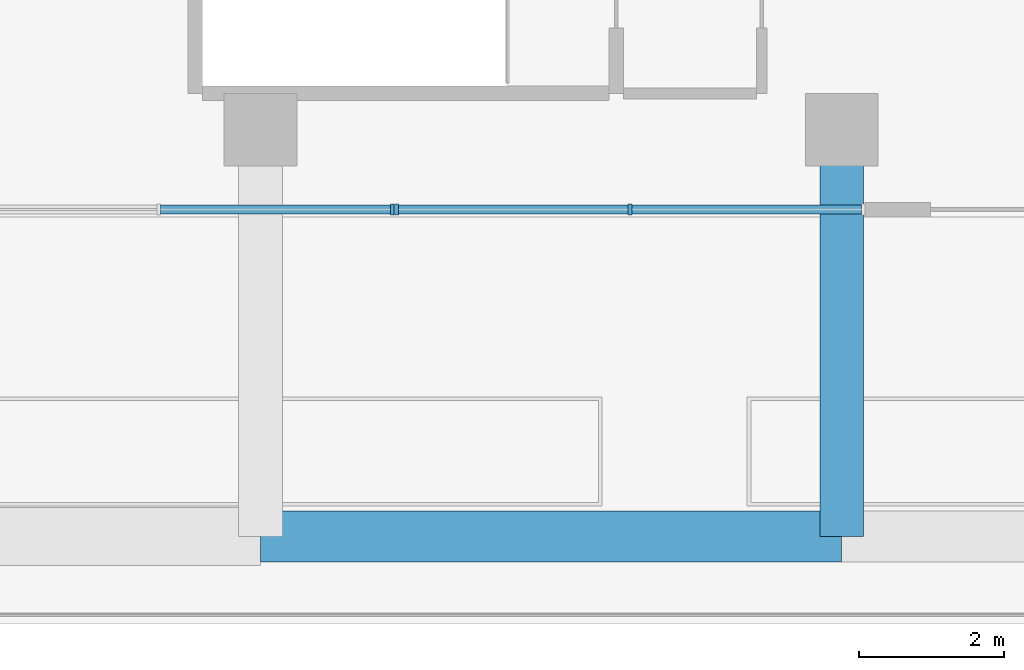
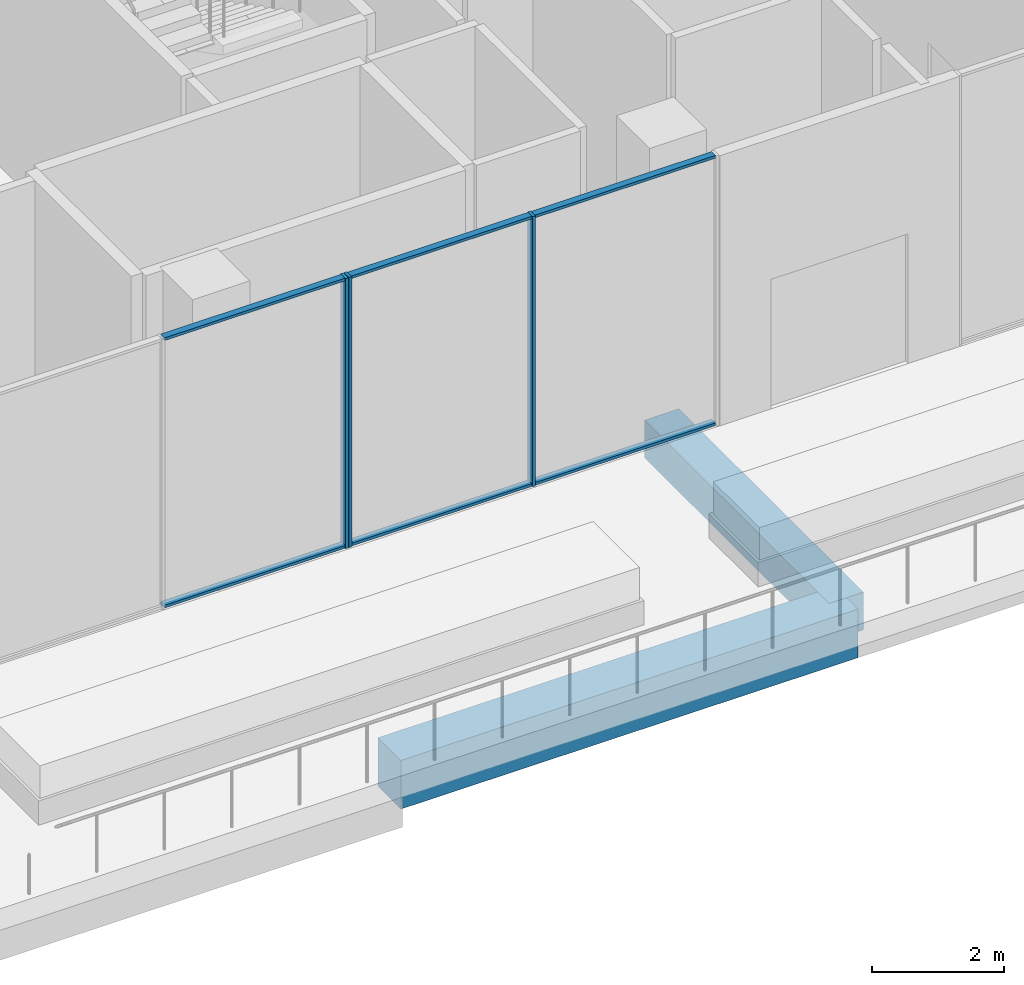
# One storey, part 3 of 32: 9 members, 2 beams, 2 elements without a shape of their own.
"""IFC4 building model written with IfcOpenShell, lengths in metres."""

import ifcopenshell
import ifcopenshell.guid

model = None  # the IFC model being written
_history = None  # IfcOwnerHistory: only IFC2X3 demands one
_inside = {}  # id of a spatial element -> (the spatial element, [elements in it])
_under = {}  # id of a project, library or spatial element -> (it, [spatial elements below it])
_declared = {}  # id of a project -> (the project, [libraries it declares])
_typed = {}  # id of a type object -> (the type object, [elements of that type])
_made_of = {}  # id of a material, layer set ... -> (it, [elements and type objects made of it])


def new_model(schema):
    """Start an empty IFC model of exactly this schema.

    Asked for "IFC4X3", IfcOpenShell would pick the latest addendum, in which some entities
    have other attributes; the version numbers below select the first issue.
    IFC2X3 requires an IfcOwnerHistory on every rooted entity: one is made here for all.
    """
    global model, _history
    if schema == "IFC4X3":
        model = ifcopenshell.file(schema_version=(4, 3, 0, 0))
    else:
        model = ifcopenshell.file(schema=schema)
    _inside.clear()
    _under.clear()
    _declared.clear()
    _typed.clear()
    _made_of.clear()
    _history = None
    if model.schema == "IFC2X3":
        org = make("IfcOrganization", Name="unknown")
        user = make(
            "IfcPersonAndOrganization",
            ThePerson=make("IfcPerson", FamilyName="unknown"),
            TheOrganization=org,
        )
        app = make(
            "IfcApplication",
            ApplicationDeveloper=org,
            Version="unknown",
            ApplicationFullName="unknown",
            ApplicationIdentifier="unknown",
        )
        _history = make(
            "IfcOwnerHistory",
            OwningUser=user,
            OwningApplication=app,
            ChangeAction="ADDED",
            CreationDate=0,
        )
    return model


def make(cls, **values):
    """One entity of the class cls with the attributes given. An attribute that is None is left unset."""
    return model.create_entity(
        cls, **{name: value for name, value in values.items() if value is not None}
    )


def rooted(cls, **values):
    """An entity with a GlobalId (a new one), such as an element, a storey or a relation."""
    return make(cls, GlobalId=ifcopenshell.guid.new(), OwnerHistory=_history, **values)


def si_unit(unit_type, name, prefix=None):
    """IfcSIUnit, for example si_unit("LENGTHUNIT", "METRE", prefix="MILLI")."""
    return make("IfcSIUnit", UnitType=unit_type, Prefix=prefix, Name=name)


def assignment(units):
    """IfcUnitAssignment: the units of a project."""
    return None if units is None else make("IfcUnitAssignment", Units=units)


def point(xyz):
    """IfcCartesianPoint."""
    return None if xyz is None else make("IfcCartesianPoint", Coordinates=xyz)


def direction(xyz):
    """IfcDirection."""
    return None if xyz is None else make("IfcDirection", DirectionRatios=xyz)


def frame(location, z_axis=None, x_axis=None):
    """IfcAxis2Placement3D, a coordinate frame: its origin and axes. An axis left out is left unset."""
    return make(
        "IfcAxis2Placement3D",
        Location=point(location),
        Axis=direction(z_axis),
        RefDirection=direction(x_axis),
    )


def frame_2d(location, x_axis=None):
    """IfcAxis2Placement2D, a coordinate frame in the plane: its origin and x axis."""
    return make(
        "IfcAxis2Placement2D", Location=point(location), RefDirection=direction(x_axis)
    )


def origin():
    """The frame at (0, 0, 0) with its axes left unset."""
    return frame((0.0, 0.0, 0.0))


def origin_2d():
    """The frame at (0, 0) in the plane with its x axis left unset."""
    return frame_2d((0.0, 0.0))


def place(relative_to, where):
    """IfcLocalPlacement: puts the frame where relative to a parent placement (None: the world)."""
    return make(
        "IfcLocalPlacement", PlacementRelTo=relative_to, RelativePlacement=where
    )


def context(
    kind, dimensions, precision=None, world=None, true_north=None, identifier=None
):
    """IfcGeometricRepresentationContext, for example the 3D "Model" context."""
    return make(
        "IfcGeometricRepresentationContext",
        ContextIdentifier=identifier,
        ContextType=kind,
        CoordinateSpaceDimension=dimensions,
        Precision=precision,
        WorldCoordinateSystem=world,
        TrueNorth=true_north,
    )


def subcontext(parent, identifier, kind, view, scale=None):
    """IfcGeometricRepresentationSubContext, for example "Body" below "Model"."""
    return make(
        "IfcGeometricRepresentationSubContext",
        ContextIdentifier=identifier,
        ContextType=kind,
        ParentContext=parent,
        TargetScale=scale,
        TargetView=view,
    )


def project(units=None, contexts=None):
    """IfcProject with its units and contexts."""
    return rooted(
        "IfcProject",
        Name="project",
        RepresentationContexts=contexts,
        UnitsInContext=assignment(units),
    )


def spatial(cls, under=None, at=None, **own):
    """A site, building, storey or space (cls), placed at a placement, below another one or the project."""
    s = rooted(cls, ObjectPlacement=at, **own)
    if under is not None:
        _under.setdefault(under.id(), (under, []))[1].append(s)
    return s


def profile(cls, at=None, kind="AREA", **sizes):
    """A parametric profile (cls). Its sizes go by their IFC names, for example OverallWidth=200.0."""
    return make(cls, ProfileType=kind, Position=at, **sizes)


def rectangle(**sizes):
    """IfcRectangleProfileDef."""
    return profile("IfcRectangleProfileDef", **sizes)


def extrude(swept, where, along, depth):
    """IfcExtrudedAreaSolid: the profile swept, set in the frame where, extruded along a direction by depth."""
    return make(
        "IfcExtrudedAreaSolid",
        SweptArea=swept,
        Position=where,
        ExtrudedDirection=direction(along),
        Depth=depth,
    )


def shape(context_of_items, identifier, shape_type, items):
    """IfcShapeRepresentation: the items that make up one representation, for example the "Body"."""
    return make(
        "IfcShapeRepresentation",
        ContextOfItems=context_of_items,
        RepresentationIdentifier=identifier,
        RepresentationType=shape_type,
        Items=items,
    )


def material(Name=None, Category=None):
    """IfcMaterial."""
    return make("IfcMaterial", Name=Name, Category=Category)


def layer(
    of_material, thickness, ventilated=None, Name=None, Category=None, Priority=None
):
    """IfcMaterialLayer: one layer of a wall or slab, of a material (None: an air gap)."""
    return make(
        "IfcMaterialLayer",
        Material=of_material,
        LayerThickness=thickness,
        IsVentilated=ventilated,
        Name=Name,
        Category=Category,
        Priority=Priority,
    )


def layer_set(layers, Name=None):
    """IfcMaterialLayerSet."""
    return make("IfcMaterialLayerSet", MaterialLayers=layers, LayerSetName=Name)


def material_profile(
    of_material, cross_section, Name=None, Category=None, Priority=None
):
    """IfcMaterialProfile: a cross section and its material."""
    return make(
        "IfcMaterialProfile",
        Name=Name,
        Material=of_material,
        Profile=cross_section,
        Priority=Priority,
        Category=Category,
    )


def profile_set(profiles, Name=None, composite=None):
    """IfcMaterialProfileSet."""
    return make(
        "IfcMaterialProfileSet",
        Name=Name,
        MaterialProfiles=profiles,
        CompositeProfile=composite,
    )


def made_of(thing, what):
    """Note that an element or type object is made of a material, layer set ...; save() writes the relation."""
    if what is not None:
        _made_of.setdefault(what.id(), (what, []))[1].append(thing)
    return thing


def type_object(cls, material=None, **own):
    """A type object (cls), such as IfcWallType, which elements share."""
    return made_of(rooted(cls, **own), material)


def element(
    cls,
    number,
    at=None,
    inside=None,
    cuts=None,
    type_object=None,
    material=None,
    context=None,
    identifier="Body",
    shape_type=None,
    held_by="IfcProductDefinitionShape",
    body=None,
    shapes=None,
    **own,
):
    """One element of the class cls, such as IfcWall. Its Tag is "e" and its number.

    at: its placement. inside: the storey or other place that contains it. cuts: it is an
    opening in that element (IfcRelVoidsElement). A single representation is given by context,
    identifier, shape_type and body (its items); several are given by shapes. held_by: the class
    of the entity that holds the representations. save() writes the other relations.
    """
    e = rooted(cls, Tag="e%d" % number, ObjectPlacement=at, **own)
    if body is not None:
        shapes = [shape(context, identifier, shape_type, body)]
    if shapes is not None:
        e.Representation = make(held_by, Representations=shapes)
    if inside is not None:
        _inside.setdefault(inside.id(), (inside, []))[1].append(e)
    if cuts is not None:
        rooted(
            "IfcRelVoidsElement", RelatingBuildingElement=cuts, RelatedOpeningElement=e
        )
    if type_object is not None:
        _typed.setdefault(type_object.id(), (type_object, []))[1].append(e)
    return made_of(e, material)


def aggregate(whole, parts):
    """IfcRelAggregates: a whole, such as a stair, and the parts it consists of."""
    return rooted("IfcRelAggregates", RelatingObject=whole, RelatedObjects=parts)


def save(model, path):
    """Write the relations noted so far, then the file.

    IfcRelAggregates (storeys below a building ...), IfcRelContainedInSpatialStructure (elements
    in a storey), IfcRelDefinesByType, IfcRelAssociatesMaterial and IfcRelDeclares: one each for
    every whole, place, type object, material and project.
    """
    for whole, parts in _under.values():
        aggregate(whole, parts)
    for where, things in _inside.values():
        rooted(
            "IfcRelContainedInSpatialStructure",
            RelatedElements=things,
            RelatingStructure=where,
        )
    for kind, things in _typed.values():
        rooted("IfcRelDefinesByType", RelatedObjects=things, RelatingType=kind)
    for what, things in _made_of.values():
        rooted("IfcRelAssociatesMaterial", RelatedObjects=things, RelatingMaterial=what)
    for by, libraries in _declared.values():
        rooted("IfcRelDeclares", RelatingContext=by, RelatedDefinitions=libraries)
    model.write(path)


model = new_model("IFC4")

# Units and contexts
model_context = context("Model", 3, precision=1e-05, world=origin(), true_north=direction((0.0, 1.0)))
body_context = subcontext(model_context, "Body", "Model", "MODEL_VIEW")
ifc_project = project(units=[si_unit("LENGTHUNIT", "METRE"), si_unit("AREAUNIT", "SQUARE_METRE"), si_unit("VOLUMEUNIT", "CUBIC_METRE"), si_unit("PLANEANGLEUNIT", "RADIAN"), si_unit("MASSUNIT", "GRAM", prefix="KILO")], contexts=[model_context])

# Site, building, storey
site_placement = place(None, origin())
site = spatial("IfcSite", under=ifc_project, at=site_placement, CompositionType="ELEMENT")
building_placement = place(site_placement, origin())
building = spatial("IfcBuilding", under=site, at=building_placement, Name="Triada Interchange Tower", CompositionType="ELEMENT")
storey_placement = place(building_placement, frame((0.0, 0.0, 14.5)))
storey = spatial("IfcBuildingStorey", under=building, at=storey_placement, Name="L02", CompositionType="ELEMENT", Elevation=14.5)

# Curtain wall, member
ifc_material_1 = material(Name="Aluminium framed glazing", Category="aluminium")
ifc_layer = layer(ifc_material_1, 0.199951171875)
ifc_layer_set = layer_set([ifc_layer], Name="Curtain wall Retail shopfront")
curtain_wall_type = type_object("IfcCurtainWallType", Name="Curtain wall Retail shopfront", PredefinedType="NOTDEFINED", material=ifc_layer_set)
curtain_wall_1_placement = place(storey_placement, origin())
curtain_wall_1 = element("IfcCurtainWall", 1, at=curtain_wall_1_placement, inside=storey, type_object=curtain_wall_type, Name="Retail shopfront CW003 L02", PredefinedType="NOTDEFINED")
ifc_material_2 = material(Name="Aluminium", Category="aluminium")
ifc_material_profile_1 = material_profile(ifc_material_2, rectangle(XDim=0.14990234375, YDim=0.050048828125, at=origin_2d()), Name="Aluminium mullion")
ifc_profile_set_1 = profile_set([ifc_material_profile_1], Name="Aluminium")
member_type_1 = type_object("IfcMemberType", Name="Mullion Retail shopfront 150x50", PredefinedType="MULLION", material=ifc_profile_set_1)
member_1_placement = place(storey_placement, frame((-10.18798828125, -39.199951171875, 0.0), z_axis=(0.0, 0.0, 1.0), x_axis=(0.0, 1.0, 0.0)))
member_1 = element("IfcMember", 2, at=member_1_placement, type_object=member_type_1, Name="CW003 mullion 3", PredefinedType="MULLION", context=body_context, shape_type="SweptSolid", body=[
    extrude(rectangle(XDim=0.14990234375, YDim=0.050048828125, at=origin_2d()), origin(), (0.0, 0.0, 1.0), 5.0),
])

# Curtain wall, members
curtain_wall_2_placement = place(storey_placement, origin())
curtain_wall_2 = element("IfcCurtainWall", 3, at=curtain_wall_2_placement, inside=storey, type_object=curtain_wall_type, Name="Retail shopfront CW004 L02", PredefinedType="NOTDEFINED")
member_2_placement = place(storey_placement, frame((-10.1279296875, -39.199951171875, 0.0), z_axis=(0.0, 0.0, 1.0), x_axis=(0.0, 1.0, 0.0)))
member_2 = element("IfcMember", 4, at=member_2_placement, type_object=member_type_1, Name="CW004 mullion 1", PredefinedType="MULLION", context=body_context, shape_type="SweptSolid", body=[
    extrude(rectangle(XDim=0.14990234375, YDim=0.050048828125, at=origin_2d()), origin(), (0.0, 0.0, 1.0), 5.0),
])
member_3_placement = place(storey_placement, frame((-6.9140625, -39.199951171875, 0.0), z_axis=(0.0, 0.0, 1.0), x_axis=(0.0, 1.0, 0.0)))
member_3 = element("IfcMember", 5, at=member_3_placement, type_object=member_type_1, Name="CW004 mullion 2", PredefinedType="MULLION", context=body_context, shape_type="SweptSolid", body=[
    extrude(rectangle(XDim=0.14990234375, YDim=0.050048828125, at=origin_2d()), origin(), (0.0, 0.0, 1.0), 5.0),
])

# Beams
ifc_material_3 = material(Name="Concrete C40/50", Category="concrete")
ifc_material_profile_2 = material_profile(ifc_material_3, rectangle(XDim=0.60009765625, YDim=0.699951171875, at=origin_2d()), Name="RC 600x700")
ifc_profile_set_2 = profile_set([ifc_material_profile_2], Name="Concrete C40/50")
beam_type_1 = type_object("IfcBeamType", Name="Terrace beam RC 600x700", PredefinedType="BEAM", material=ifc_profile_set_2)
beam_1_placement = place(storey_placement, frame((-4.0, -43.699951171875, -0.75), z_axis=(0.0, 1.0, 0.0), x_axis=(-1.0, 0.0, 0.0)))
element("IfcBeam", 6, at=beam_1_placement, inside=storey, type_object=beam_type_1, Name="Terrace beam TE14 L02", PredefinedType="BEAM", context=body_context, shape_type="SweptSolid", body=[
    extrude(rectangle(XDim=0.60009765625, YDim=0.699951171875, at=origin_2d()), origin(), (0.0, 0.0, 1.0), 5.599853515625),
])
ifc_material_profile_3 = material_profile(ifc_material_3, rectangle(XDim=0.699951171875, YDim=0.89990234375, at=origin_2d()), Name="RC 700x900")
ifc_profile_set_3 = profile_set([ifc_material_profile_3], Name="Concrete C40/50")
beam_type_2 = type_object("IfcBeamType", Name="Terrace beam RC 700x900", PredefinedType="BEAM", material=ifc_profile_set_3)
beam_2_placement = place(storey_placement, frame((-12.0, -43.699951171875, -0.85009765625), z_axis=(1.0, 0.0, 0.0), x_axis=(0.0, 1.0, 0.0)))
element("IfcBeam", 7, at=beam_2_placement, inside=storey, type_object=beam_type_2, Name="Terrace beam TE21 L02", PredefinedType="BEAM", context=body_context, shape_type="SweptSolid", body=[
    extrude(rectangle(XDim=0.699951171875, YDim=0.89990234375, at=origin_2d()), origin(), (0.0, 0.0, 1.0), 8.0),
])

# Member
ifc_material_profile_4 = material_profile(ifc_material_2, rectangle(XDim=0.1201171875, YDim=0.050048828125, at=origin_2d()), Name="Aluminium transom")
ifc_profile_set_4 = profile_set([ifc_material_profile_4], Name="Aluminium")
member_type_2 = type_object("IfcMemberType", Name="Transom Retail shopfront 120x50", PredefinedType="USERDEFINED", material=ifc_profile_set_4)
member_4_placement = place(storey_placement, frame((-13.375, -39.199951171875, 0.02490234375), z_axis=(1.0, 0.0, 0.0), x_axis=(0.0, 1.0, 0.0)))
member_4 = element("IfcMember", 8, at=member_4_placement, type_object=member_type_2, Name="CW003 transom 2.1", ObjectType="TRANSOM", PredefinedType="USERDEFINED", context=body_context, shape_type="SweptSolid", body=[
    extrude(rectangle(XDim=0.1201171875, YDim=0.050048828125, at=origin_2d()), origin(), (0.0, 0.0, 1.0), 3.162109375),
])

member_5_placement = place(storey_placement, frame((-13.375, -39.199951171875, 4.97509765625), z_axis=(1.0, 0.0, 0.0), x_axis=(0.0, 1.0, 0.0)))
member_5 = element("IfcMember", 9, at=member_5_placement, type_object=member_type_2, Name="CW003 transom 2.2", ObjectType="TRANSOM", PredefinedType="USERDEFINED", context=body_context, shape_type="SweptSolid", body=[
    extrude(rectangle(XDim=0.1201171875, YDim=0.050048828125, at=origin_2d()), origin(), (0.0, 0.0, 1.0), 3.162109375),
])

aggregate(curtain_wall_1, [member_1, member_4, member_5])

member_6_placement = place(storey_placement, frame((-10.10302734375, -39.199951171875, 0.02490234375), z_axis=(1.0, 0.0, 0.0), x_axis=(0.0, 1.0, 0.0)))
member_6 = element("IfcMember", 10, at=member_6_placement, type_object=member_type_2, Name="CW004 transom 1.1", ObjectType="TRANSOM", PredefinedType="USERDEFINED", context=body_context, shape_type="SweptSolid", body=[
    extrude(rectangle(XDim=0.1201171875, YDim=0.050048828125, at=origin_2d()), origin(), (0.0, 0.0, 1.0), 3.1640625),
])

member_7_placement = place(storey_placement, frame((-10.10302734375, -39.199951171875, 4.97509765625), z_axis=(1.0, 0.0, 0.0), x_axis=(0.0, 1.0, 0.0)))
member_7 = element("IfcMember", 11, at=member_7_placement, type_object=member_type_2, Name="CW004 transom 1.2", ObjectType="TRANSOM", PredefinedType="USERDEFINED", context=body_context, shape_type="SweptSolid", body=[
    extrude(rectangle(XDim=0.1201171875, YDim=0.050048828125, at=origin_2d()), origin(), (0.0, 0.0, 1.0), 3.1640625),
])

member_8_placement = place(storey_placement, frame((-6.888916015625, -39.199951171875, 0.02490234375), z_axis=(1.0, 0.0, 0.0), x_axis=(0.0, 1.0, 0.0)))
member_8 = element("IfcMember", 12, at=member_8_placement, type_object=member_type_2, Name="CW004 transom 2.1", ObjectType="TRANSOM", PredefinedType="USERDEFINED", context=body_context, shape_type="SweptSolid", body=[
    extrude(rectangle(XDim=0.1201171875, YDim=0.050048828125, at=origin_2d()), origin(), (0.0, 0.0, 1.0), 3.163818359375),
])

member_9_placement = place(storey_placement, frame((-6.888916015625, -39.199951171875, 4.97509765625), z_axis=(1.0, 0.0, 0.0), x_axis=(0.0, 1.0, 0.0)))
member_9 = element("IfcMember", 13, at=member_9_placement, type_object=member_type_2, Name="CW004 transom 2.2", ObjectType="TRANSOM", PredefinedType="USERDEFINED", context=body_context, shape_type="SweptSolid", body=[
    extrude(rectangle(XDim=0.1201171875, YDim=0.050048828125, at=origin_2d()), origin(), (0.0, 0.0, 1.0), 3.163818359375),
])

aggregate(curtain_wall_2, [member_2, member_3, member_6, member_7, member_8, member_9])

save(model, "model.ifc")
